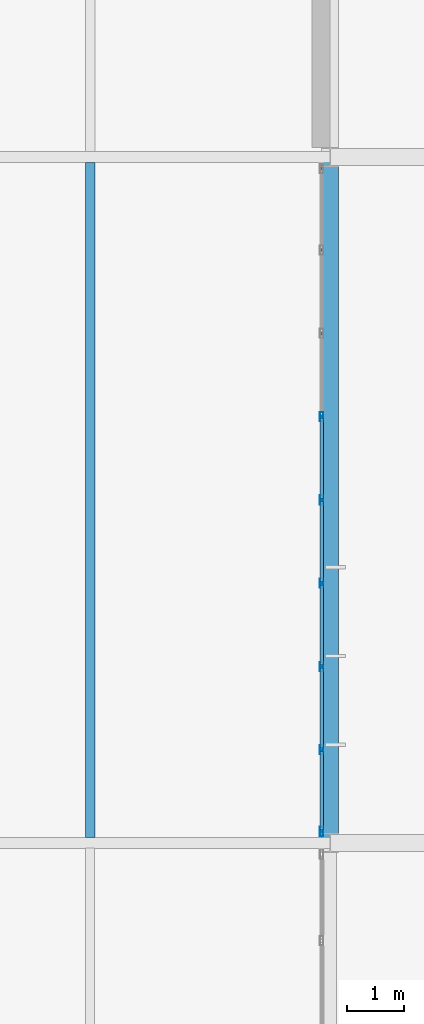
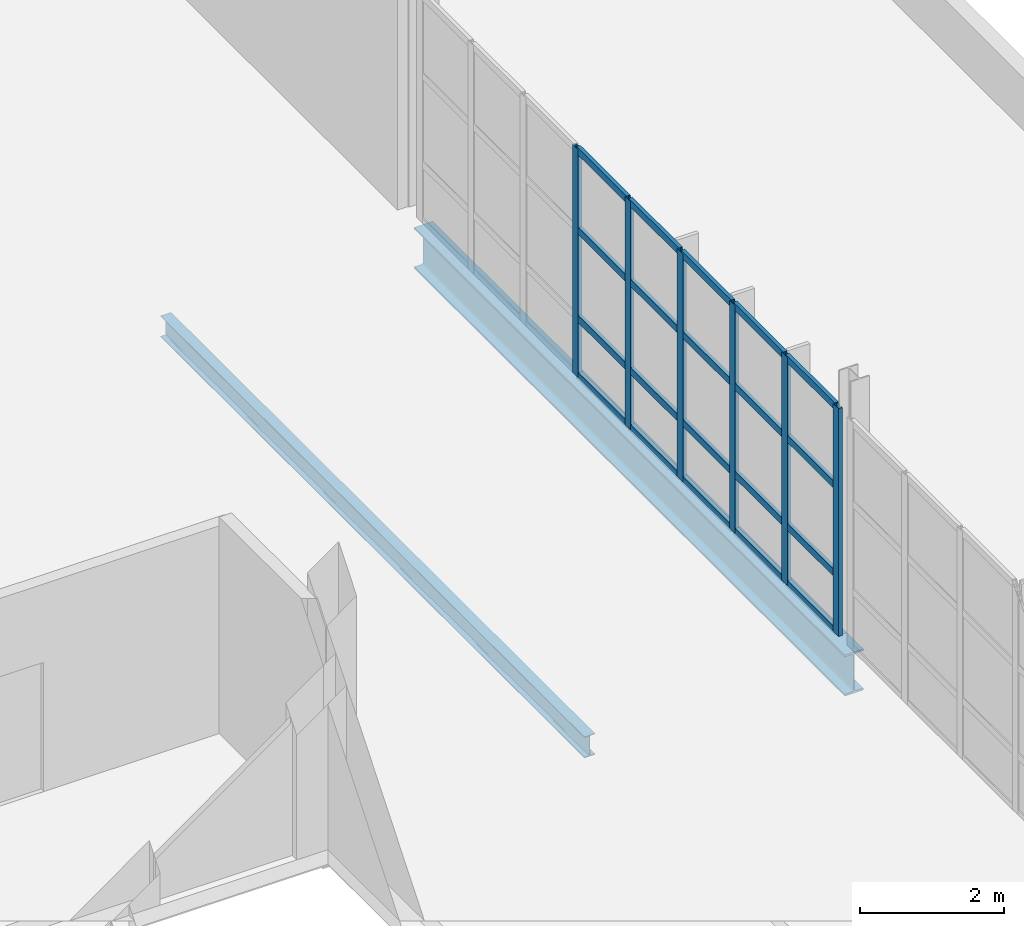
# One storey, part 80 of 103: 26 members, 2 beams, 1 element without a shape of its own.
"""IFC4 building model written with IfcOpenShell, lengths in metres."""

from ifc_helpers import new_model, si_unit, direction, frame, origin, origin_2d, place, context, subcontext, project, spatial, hollow_rectangle, i_section, extrude, material, material_profile, profile_set, type_object, element, aggregate, save


model = new_model("IFC4")

# Units and contexts
model_context = context("Model", 3, precision=1e-05, world=origin(), true_north=direction((0.0, 1.0)))
body_context = subcontext(model_context, "Body", "Model", "MODEL_VIEW")
ifc_project = project(units=[si_unit("LENGTHUNIT", "METRE"), si_unit("AREAUNIT", "SQUARE_METRE"), si_unit("VOLUMEUNIT", "CUBIC_METRE"), si_unit("PLANEANGLEUNIT", "RADIAN"), si_unit("MASSUNIT", "GRAM", prefix="KILO")], contexts=[model_context])

# Site, building, storey
site_placement = place(None, origin())
site = spatial("IfcSite", under=ifc_project, at=site_placement, CompositionType="ELEMENT")
building_placement = place(site_placement, origin())
building = spatial("IfcBuilding", under=site, at=building_placement, Name="Veltarok Museum of Natural Sciences", CompositionType="ELEMENT")
storey_placement = place(building_placement, frame((0.0, 0.0, 21.89990234375)))
storey = spatial("IfcBuildingStorey", under=building, at=storey_placement, Name="L04", CompositionType="ELEMENT", Elevation=21.89990234375)

# Curtain wall, members
ifc_material_1 = material(Name="Low-iron triple insulated glass", Category="glass")
curtain_wall_type = type_object("IfcCurtainWallType", Name="Curtain Wall System CW-V5E-L04-E-1166x388 (V5 East Lab L04 E-F 1166x388cm)", PredefinedType="NOTDEFINED", material=ifc_material_1)
curtain_wall_placement = place(storey_placement, origin())
curtain_wall = element("IfcCurtainWall", 1, at=curtain_wall_placement, inside=storey, type_object=curtain_wall_type, Name="Curtain Wall CW-V5E-L04-E-1166x388 CW-0124", PredefinedType="NOTDEFINED")
ifc_material_2 = material(Name="Thermally broken anodised aluminium", Category="aluminium")
ifc_material_profile_1 = material_profile(ifc_material_2, hollow_rectangle(XDim=0.06005859375, YDim=0.1201171875, WallThickness=0.0048828125, at=origin_2d()), Name="CW TRANSOM 60x120x5")
ifc_profile_set_1 = profile_set([ifc_material_profile_1], Name="Thermally broken anodised aluminium")
member_type_1 = type_object("IfcMemberType", Name="Curtain Wall Horizontal Transom 60x120x5", PredefinedType="USERDEFINED", material=ifc_profile_set_1)
member_1_placement = place(storey_placement, frame((149.050048828125, 36.22998046875, 0.030029296875), z_axis=(0.0, 1.0, 0.0), x_axis=(-1.0, 0.0, 0.0)))
member_1 = element("IfcMember", 2, at=member_1_placement, type_object=member_type_1, Name="CW-V5E-L04-E-1166x388 transom 1.1", ObjectType="TRANSOM", PredefinedType="USERDEFINED", context=body_context, shape_type="SweptSolid", body=[
    extrude(hollow_rectangle(XDim=0.06005859375, YDim=0.1201171875, WallThickness=0.0048828125, at=origin_2d()), origin(), (0.0, 0.0, 1.0), 1.367431640625),
])
member_2_placement = place(storey_placement, frame((149.050048828125, 36.22998046875, 1.0), z_axis=(0.0, 1.0, 0.0), x_axis=(-1.0, 0.0, 0.0)))
member_2 = element("IfcMember", 3, at=member_2_placement, type_object=member_type_1, Name="CW-V5E-L04-E-1166x388 transom 1.2", ObjectType="TRANSOM", PredefinedType="USERDEFINED", context=body_context, shape_type="SweptSolid", body=[
    extrude(hollow_rectangle(XDim=0.06005859375, YDim=0.1201171875, WallThickness=0.0048828125, at=origin_2d()), origin(), (0.0, 0.0, 1.0), 1.367431640625),
])
member_3_placement = place(storey_placement, frame((149.050048828125, 36.22998046875, 2.5), z_axis=(0.0, 1.0, 0.0), x_axis=(-1.0, 0.0, 0.0)))
member_3 = element("IfcMember", 4, at=member_3_placement, type_object=member_type_1, Name="CW-V5E-L04-E-1166x388 transom 1.3", ObjectType="TRANSOM", PredefinedType="USERDEFINED", context=body_context, shape_type="SweptSolid", body=[
    extrude(hollow_rectangle(XDim=0.06005859375, YDim=0.1201171875, WallThickness=0.0048828125, at=origin_2d()), origin(), (0.0, 0.0, 1.0), 1.367431640625),
])
member_4_placement = place(storey_placement, frame((149.050048828125, 36.22998046875, 3.85009765625), z_axis=(0.0, 1.0, 0.0), x_axis=(-1.0, 0.0, 0.0)))
member_4 = element("IfcMember", 5, at=member_4_placement, type_object=member_type_1, Name="CW-V5E-L04-E-1166x388 transom 1.4", ObjectType="TRANSOM", PredefinedType="USERDEFINED", context=body_context, shape_type="SweptSolid", body=[
    extrude(hollow_rectangle(XDim=0.06005859375, YDim=0.1201171875, WallThickness=0.0048828125, at=origin_2d()), origin(), (0.0, 0.0, 1.0), 1.367431640625),
])
member_5_placement = place(storey_placement, frame((149.050048828125, 37.657470703125, 0.030029296875), z_axis=(0.0, 1.0, 0.0), x_axis=(-1.0, 0.0, 0.0)))
member_5 = element("IfcMember", 6, at=member_5_placement, type_object=member_type_1, Name="CW-V5E-L04-E-1166x388 transom 2.1", ObjectType="TRANSOM", PredefinedType="USERDEFINED", context=body_context, shape_type="SweptSolid", body=[
    extrude(hollow_rectangle(XDim=0.06005859375, YDim=0.1201171875, WallThickness=0.0048828125, at=origin_2d()), origin(), (0.0, 0.0, 1.0), 1.3974609375),
])
member_6_placement = place(storey_placement, frame((149.050048828125, 37.657470703125, 1.0), z_axis=(0.0, 1.0, 0.0), x_axis=(-1.0, 0.0, 0.0)))
member_6 = element("IfcMember", 7, at=member_6_placement, type_object=member_type_1, Name="CW-V5E-L04-E-1166x388 transom 2.2", ObjectType="TRANSOM", PredefinedType="USERDEFINED", context=body_context, shape_type="SweptSolid", body=[
    extrude(hollow_rectangle(XDim=0.06005859375, YDim=0.1201171875, WallThickness=0.0048828125, at=origin_2d()), origin(), (0.0, 0.0, 1.0), 1.3974609375),
])
member_7_placement = place(storey_placement, frame((149.050048828125, 37.657470703125, 2.5), z_axis=(0.0, 1.0, 0.0), x_axis=(-1.0, 0.0, 0.0)))
member_7 = element("IfcMember", 8, at=member_7_placement, type_object=member_type_1, Name="CW-V5E-L04-E-1166x388 transom 2.3", ObjectType="TRANSOM", PredefinedType="USERDEFINED", context=body_context, shape_type="SweptSolid", body=[
    extrude(hollow_rectangle(XDim=0.06005859375, YDim=0.1201171875, WallThickness=0.0048828125, at=origin_2d()), origin(), (0.0, 0.0, 1.0), 1.3974609375),
])
member_8_placement = place(storey_placement, frame((149.050048828125, 37.657470703125, 3.85009765625), z_axis=(0.0, 1.0, 0.0), x_axis=(-1.0, 0.0, 0.0)))
member_8 = element("IfcMember", 9, at=member_8_placement, type_object=member_type_1, Name="CW-V5E-L04-E-1166x388 transom 2.4", ObjectType="TRANSOM", PredefinedType="USERDEFINED", context=body_context, shape_type="SweptSolid", body=[
    extrude(hollow_rectangle(XDim=0.06005859375, YDim=0.1201171875, WallThickness=0.0048828125, at=origin_2d()), origin(), (0.0, 0.0, 1.0), 1.3974609375),
])
member_9_placement = place(storey_placement, frame((149.050048828125, 39.114990234375, 0.030029296875), z_axis=(0.0, 1.0, 0.0), x_axis=(-1.0, 0.0, 0.0)))
member_9 = element("IfcMember", 10, at=member_9_placement, type_object=member_type_1, Name="CW-V5E-L04-E-1166x388 transom 3.1", ObjectType="TRANSOM", PredefinedType="USERDEFINED", context=body_context, shape_type="SweptSolid", body=[
    extrude(hollow_rectangle(XDim=0.06005859375, YDim=0.1201171875, WallThickness=0.0048828125, at=origin_2d()), origin(), (0.0, 0.0, 1.0), 1.3974609375),
])
member_10_placement = place(storey_placement, frame((149.050048828125, 39.114990234375, 1.0), z_axis=(0.0, 1.0, 0.0), x_axis=(-1.0, 0.0, 0.0)))
member_10 = element("IfcMember", 11, at=member_10_placement, type_object=member_type_1, Name="CW-V5E-L04-E-1166x388 transom 3.2", ObjectType="TRANSOM", PredefinedType="USERDEFINED", context=body_context, shape_type="SweptSolid", body=[
    extrude(hollow_rectangle(XDim=0.06005859375, YDim=0.1201171875, WallThickness=0.0048828125, at=origin_2d()), origin(), (0.0, 0.0, 1.0), 1.3974609375),
])
member_11_placement = place(storey_placement, frame((149.050048828125, 39.114990234375, 2.5), z_axis=(0.0, 1.0, 0.0), x_axis=(-1.0, 0.0, 0.0)))
member_11 = element("IfcMember", 12, at=member_11_placement, type_object=member_type_1, Name="CW-V5E-L04-E-1166x388 transom 3.3", ObjectType="TRANSOM", PredefinedType="USERDEFINED", context=body_context, shape_type="SweptSolid", body=[
    extrude(hollow_rectangle(XDim=0.06005859375, YDim=0.1201171875, WallThickness=0.0048828125, at=origin_2d()), origin(), (0.0, 0.0, 1.0), 1.3974609375),
])
member_12_placement = place(storey_placement, frame((149.050048828125, 39.114990234375, 3.85009765625), z_axis=(0.0, 1.0, 0.0), x_axis=(-1.0, 0.0, 0.0)))
member_12 = element("IfcMember", 13, at=member_12_placement, type_object=member_type_1, Name="CW-V5E-L04-E-1166x388 transom 3.4", ObjectType="TRANSOM", PredefinedType="USERDEFINED", context=body_context, shape_type="SweptSolid", body=[
    extrude(hollow_rectangle(XDim=0.06005859375, YDim=0.1201171875, WallThickness=0.0048828125, at=origin_2d()), origin(), (0.0, 0.0, 1.0), 1.3974609375),
])
member_13_placement = place(storey_placement, frame((149.050048828125, 40.572509765625, 0.030029296875), z_axis=(0.0, 1.0, 0.0), x_axis=(-1.0, 0.0, 0.0)))
member_13 = element("IfcMember", 14, at=member_13_placement, type_object=member_type_1, Name="CW-V5E-L04-E-1166x388 transom 4.1", ObjectType="TRANSOM", PredefinedType="USERDEFINED", context=body_context, shape_type="SweptSolid", body=[
    extrude(hollow_rectangle(XDim=0.06005859375, YDim=0.1201171875, WallThickness=0.0048828125, at=origin_2d()), origin(), (0.0, 0.0, 1.0), 1.3974609375),
])
member_14_placement = place(storey_placement, frame((149.050048828125, 40.572509765625, 1.0), z_axis=(0.0, 1.0, 0.0), x_axis=(-1.0, 0.0, 0.0)))
member_14 = element("IfcMember", 15, at=member_14_placement, type_object=member_type_1, Name="CW-V5E-L04-E-1166x388 transom 4.2", ObjectType="TRANSOM", PredefinedType="USERDEFINED", context=body_context, shape_type="SweptSolid", body=[
    extrude(hollow_rectangle(XDim=0.06005859375, YDim=0.1201171875, WallThickness=0.0048828125, at=origin_2d()), origin(), (0.0, 0.0, 1.0), 1.3974609375),
])
member_15_placement = place(storey_placement, frame((149.050048828125, 40.572509765625, 2.5), z_axis=(0.0, 1.0, 0.0), x_axis=(-1.0, 0.0, 0.0)))
member_15 = element("IfcMember", 16, at=member_15_placement, type_object=member_type_1, Name="CW-V5E-L04-E-1166x388 transom 4.3", ObjectType="TRANSOM", PredefinedType="USERDEFINED", context=body_context, shape_type="SweptSolid", body=[
    extrude(hollow_rectangle(XDim=0.06005859375, YDim=0.1201171875, WallThickness=0.0048828125, at=origin_2d()), origin(), (0.0, 0.0, 1.0), 1.3974609375),
])
member_16_placement = place(storey_placement, frame((149.050048828125, 40.572509765625, 3.85009765625), z_axis=(0.0, 1.0, 0.0), x_axis=(-1.0, 0.0, 0.0)))
member_16 = element("IfcMember", 17, at=member_16_placement, type_object=member_type_1, Name="CW-V5E-L04-E-1166x388 transom 4.4", ObjectType="TRANSOM", PredefinedType="USERDEFINED", context=body_context, shape_type="SweptSolid", body=[
    extrude(hollow_rectangle(XDim=0.06005859375, YDim=0.1201171875, WallThickness=0.0048828125, at=origin_2d()), origin(), (0.0, 0.0, 1.0), 1.3974609375),
])
member_17_placement = place(storey_placement, frame((149.050048828125, 42.030029296875, 0.030029296875), z_axis=(0.0, 1.0, 0.0), x_axis=(-1.0, 0.0, 0.0)))
member_17 = element("IfcMember", 18, at=member_17_placement, type_object=member_type_1, Name="CW-V5E-L04-E-1166x388 transom 5.1", ObjectType="TRANSOM", PredefinedType="USERDEFINED", context=body_context, shape_type="SweptSolid", body=[
    extrude(hollow_rectangle(XDim=0.06005859375, YDim=0.1201171875, WallThickness=0.0048828125, at=origin_2d()), origin(), (0.0, 0.0, 1.0), 1.3974609375),
])
member_18_placement = place(storey_placement, frame((149.050048828125, 42.030029296875, 1.0), z_axis=(0.0, 1.0, 0.0), x_axis=(-1.0, 0.0, 0.0)))
member_18 = element("IfcMember", 19, at=member_18_placement, type_object=member_type_1, Name="CW-V5E-L04-E-1166x388 transom 5.2", ObjectType="TRANSOM", PredefinedType="USERDEFINED", context=body_context, shape_type="SweptSolid", body=[
    extrude(hollow_rectangle(XDim=0.06005859375, YDim=0.1201171875, WallThickness=0.0048828125, at=origin_2d()), origin(), (0.0, 0.0, 1.0), 1.3974609375),
])
member_19_placement = place(storey_placement, frame((149.050048828125, 42.030029296875, 2.5), z_axis=(0.0, 1.0, 0.0), x_axis=(-1.0, 0.0, 0.0)))
member_19 = element("IfcMember", 20, at=member_19_placement, type_object=member_type_1, Name="CW-V5E-L04-E-1166x388 transom 5.3", ObjectType="TRANSOM", PredefinedType="USERDEFINED", context=body_context, shape_type="SweptSolid", body=[
    extrude(hollow_rectangle(XDim=0.06005859375, YDim=0.1201171875, WallThickness=0.0048828125, at=origin_2d()), origin(), (0.0, 0.0, 1.0), 1.3974609375),
])
member_20_placement = place(storey_placement, frame((149.050048828125, 42.030029296875, 3.85009765625), z_axis=(0.0, 1.0, 0.0), x_axis=(-1.0, 0.0, 0.0)))
member_20 = element("IfcMember", 21, at=member_20_placement, type_object=member_type_1, Name="CW-V5E-L04-E-1166x388 transom 5.4", ObjectType="TRANSOM", PredefinedType="USERDEFINED", context=body_context, shape_type="SweptSolid", body=[
    extrude(hollow_rectangle(XDim=0.06005859375, YDim=0.1201171875, WallThickness=0.0048828125, at=origin_2d()), origin(), (0.0, 0.0, 1.0), 1.3974609375),
])
ifc_material_profile_2 = material_profile(ifc_material_2, hollow_rectangle(XDim=0.06005859375, YDim=0.159912109375, WallThickness=0.0048828125, at=origin_2d()), Name="CW MULLION 60x160x5")
ifc_profile_set_2 = profile_set([ifc_material_profile_2], Name="Thermally broken anodised aluminium")
member_type_2 = type_object("IfcMemberType", Name="Curtain Wall Vertical Mullion 60x160x5", PredefinedType="MULLION", material=ifc_profile_set_2)
member_21_placement = place(storey_placement, frame((149.050048828125, 36.199951171875, 0.0), z_axis=(0.0, 0.0, 1.0), x_axis=(-1.0, 0.0, 0.0)))
member_21 = element("IfcMember", 22, at=member_21_placement, type_object=member_type_2, Name="CW-V5E-L04-E-1166x388 mullion 1", PredefinedType="MULLION", context=body_context, shape_type="SweptSolid", body=[
    extrude(hollow_rectangle(XDim=0.06005859375, YDim=0.159912109375, WallThickness=0.0048828125, at=origin_2d()), origin(), (0.0, 0.0, 1.0), 3.880126953125),
])
member_22_placement = place(storey_placement, frame((149.050048828125, 37.62744140625, 0.0), z_axis=(0.0, 0.0, 1.0), x_axis=(-1.0, 0.0, 0.0)))
member_22 = element("IfcMember", 23, at=member_22_placement, type_object=member_type_2, Name="CW-V5E-L04-E-1166x388 mullion 2", PredefinedType="MULLION", context=body_context, shape_type="SweptSolid", body=[
    extrude(hollow_rectangle(XDim=0.06005859375, YDim=0.159912109375, WallThickness=0.0048828125, at=origin_2d()), origin(), (0.0, 0.0, 1.0), 3.880126953125),
])
member_23_placement = place(storey_placement, frame((149.050048828125, 39.0849609375, 0.0), z_axis=(0.0, 0.0, 1.0), x_axis=(-1.0, 0.0, 0.0)))
member_23 = element("IfcMember", 24, at=member_23_placement, type_object=member_type_2, Name="CW-V5E-L04-E-1166x388 mullion 3", PredefinedType="MULLION", context=body_context, shape_type="SweptSolid", body=[
    extrude(hollow_rectangle(XDim=0.06005859375, YDim=0.159912109375, WallThickness=0.0048828125, at=origin_2d()), origin(), (0.0, 0.0, 1.0), 3.880126953125),
])
member_24_placement = place(storey_placement, frame((149.050048828125, 40.54248046875, 0.0), z_axis=(0.0, 0.0, 1.0), x_axis=(-1.0, 0.0, 0.0)))
member_24 = element("IfcMember", 25, at=member_24_placement, type_object=member_type_2, Name="CW-V5E-L04-E-1166x388 mullion 4", PredefinedType="MULLION", context=body_context, shape_type="SweptSolid", body=[
    extrude(hollow_rectangle(XDim=0.06005859375, YDim=0.159912109375, WallThickness=0.0048828125, at=origin_2d()), origin(), (0.0, 0.0, 1.0), 3.880126953125),
])
member_25_placement = place(storey_placement, frame((149.050048828125, 42.0, 0.0), z_axis=(0.0, 0.0, 1.0), x_axis=(-1.0, 0.0, 0.0)))
member_25 = element("IfcMember", 26, at=member_25_placement, type_object=member_type_2, Name="CW-V5E-L04-E-1166x388 mullion 5", PredefinedType="MULLION", context=body_context, shape_type="SweptSolid", body=[
    extrude(hollow_rectangle(XDim=0.06005859375, YDim=0.159912109375, WallThickness=0.0048828125, at=origin_2d()), origin(), (0.0, 0.0, 1.0), 3.880126953125),
])
member_26_placement = place(storey_placement, frame((149.050048828125, 43.45751953125, 0.0), z_axis=(0.0, 0.0, 1.0), x_axis=(-1.0, 0.0, 0.0)))
member_26 = element("IfcMember", 27, at=member_26_placement, type_object=member_type_2, Name="CW-V5E-L04-E-1166x388 mullion 6", PredefinedType="MULLION", context=body_context, shape_type="SweptSolid", body=[
    extrude(hollow_rectangle(XDim=0.06005859375, YDim=0.159912109375, WallThickness=0.0048828125, at=origin_2d()), origin(), (0.0, 0.0, 1.0), 3.880126953125),
])
aggregate(curtain_wall, [member_21, member_22, member_23, member_24, member_25, member_26, member_1, member_2, member_3, member_4, member_5, member_6, member_7, member_8, member_9, member_10, member_11, member_12, member_13, member_14, member_15, member_16, member_17, member_18, member_19, member_20])

# Beams
ifc_material_3 = material(Name="Steel S355J2", Category="steel")
ifc_material_profile_3 = material_profile(ifc_material_3, i_section(OverallWidth=0.169921875, OverallDepth=0.360107421875, WebThickness=0.008056640625, FlangeThickness=0.0126953125, FilletRadius=0.01806640625, at=origin_2d()), Name="IPE 360")
ifc_profile_set_3 = profile_set([ifc_material_profile_3], Name="Steel S355J2")
beam_type_1 = type_object("IfcBeamType", Name="Long-Bay Composite Joist IPE 360", PredefinedType="JOIST", material=ifc_profile_set_3)
beam_1_placement = place(storey_placement, frame((145.0, 36.093017578125, -0.429931640625), z_axis=(0.0, 1.0, 0.0), x_axis=(-1.0, 0.0, 0.0)))
element("IfcBeam", 28, at=beam_1_placement, inside=storey, type_object=beam_type_1, Name="Secondary Joist BM-J01 L04 17-18/E-F.1", PredefinedType="JOIST", context=body_context, shape_type="SweptSolid", body=[
    extrude(i_section(OverallWidth=0.169921875, OverallDepth=0.360107421875, WebThickness=0.008056640625, FlangeThickness=0.0126953125, FilletRadius=0.01806640625, at=origin_2d()), origin(), (0.0, 0.0, 1.0), 11.81396484375),
])
ifc_material_profile_4 = material_profile(ifc_material_3, i_section(OverallWidth=0.300048828125, OverallDepth=0.699951171875, WebThickness=0.01708984375, FlangeThickness=0.031982421875, FilletRadius=0.027099609375, at=origin_2d()), Name="HEB 700")
ifc_profile_set_4 = profile_set([ifc_material_profile_4], Name="Steel S355J2")
beam_type_2 = type_object("IfcBeamType", Name="Long-Span Hall Girder HEB 700", PredefinedType="BEAM", material=ifc_profile_set_4)
beam_2_placement = place(storey_placement, frame((149.199951171875, 36.0, -0.599853515625), z_axis=(0.0, 1.0, 0.0), x_axis=(-1.0, 0.0, 0.0)))
element("IfcBeam", 29, at=beam_2_placement, inside=storey, type_object=beam_type_2, Name="Beam BM-G01 L04 18/E-F", PredefinedType="BEAM", context=body_context, shape_type="SweptSolid", body=[
    extrude(i_section(OverallWidth=0.300048828125, OverallDepth=0.699951171875, WebThickness=0.01708984375, FlangeThickness=0.031982421875, FilletRadius=0.027099609375, at=origin_2d()), origin(), (0.0, 0.0, 1.0), 12.0),
])

save(model, "model.ifc")
